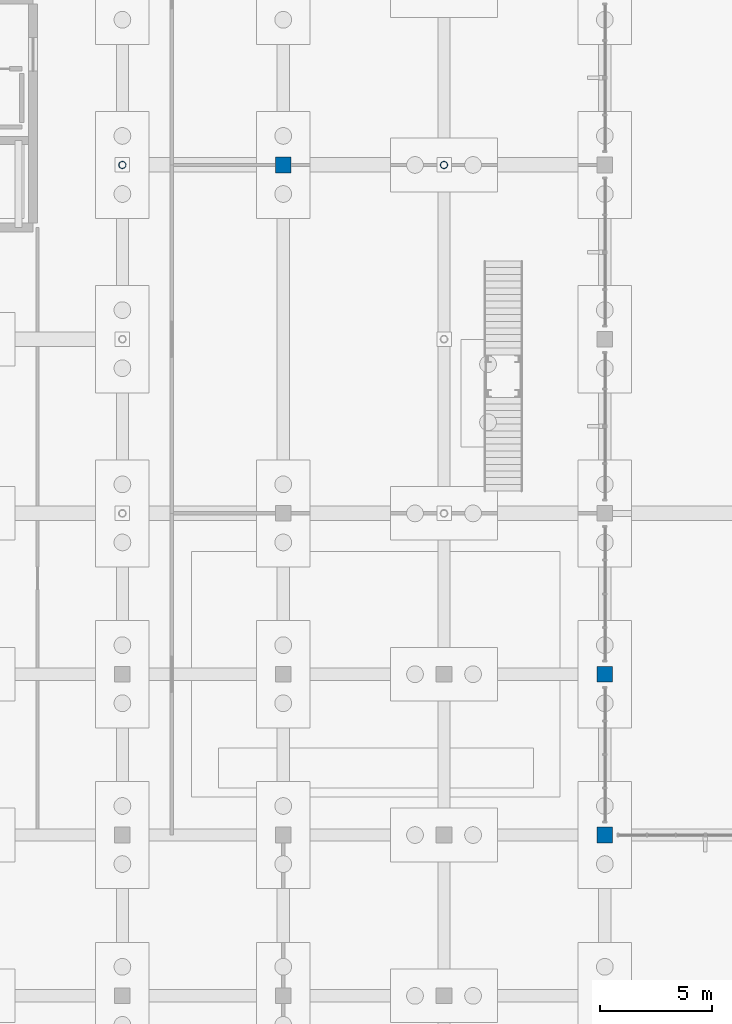
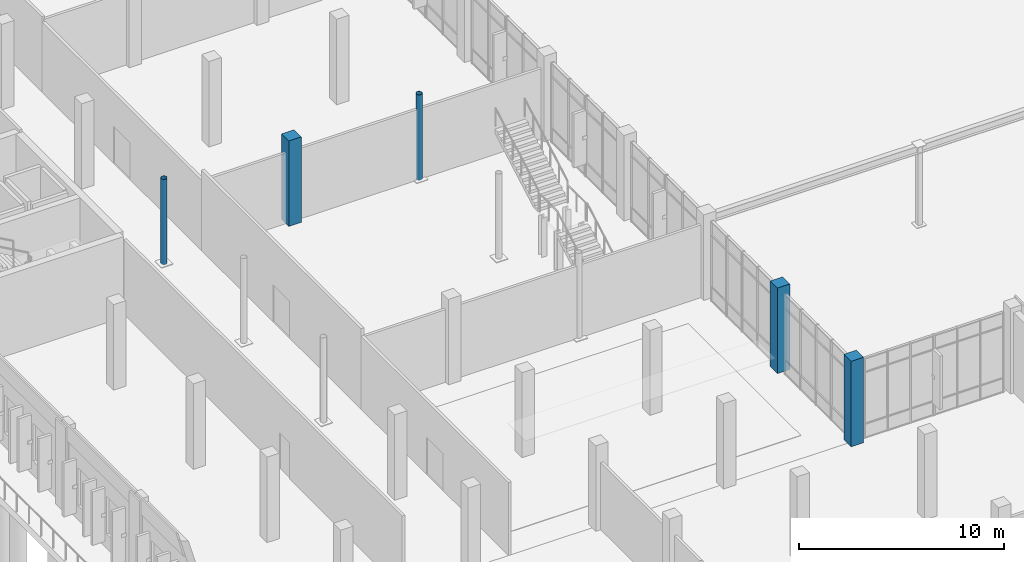
# One storey, part 18 of 94: 5 columns.
"""IFC4 building model written with IfcOpenShell, lengths in metres."""

from ifc_helpers import new_model, si_unit, direction, frame, origin, origin_2d, place, context, subcontext, project, spatial, rectangle, hollow_circle, extrude, material, material_profile, profile_set, type_object, element, save


model = new_model("IFC4")

# Units and contexts
model_context = context("Model", 3, precision=1e-05, world=origin(), true_north=direction((0.0, 1.0)))
body_context = subcontext(model_context, "Body", "Model", "MODEL_VIEW")
ifc_project = project(units=[si_unit("LENGTHUNIT", "METRE"), si_unit("AREAUNIT", "SQUARE_METRE"), si_unit("VOLUMEUNIT", "CUBIC_METRE"), si_unit("PLANEANGLEUNIT", "RADIAN"), si_unit("MASSUNIT", "GRAM", prefix="KILO")], contexts=[model_context])

# Site, building, storey
site_placement = place(None, origin())
site = spatial("IfcSite", under=ifc_project, at=site_placement, CompositionType="ELEMENT")
building_placement = place(site_placement, origin())
building = spatial("IfcBuilding", under=site, at=building_placement, Name="Vervanel Yard Central Library", CompositionType="ELEMENT")
storey_placement = place(building_placement, origin())
storey = spatial("IfcBuildingStorey", under=building, at=storey_placement, Name="L00", CompositionType="ELEMENT", Elevation=0.0)

# Columns
ifc_material_1 = material(Name="Steel ASTM A500 Grade C", Category="steel")
ifc_material_profile_1 = material_profile(ifc_material_1, hollow_circle(Radius=0.161865234375, WallThickness=0.01171875, at=origin_2d()), Name="HSS12.750X0.500", Category="steel")
ifc_profile_set_1 = profile_set([ifc_material_profile_1], Name="Steel ASTM A500 Grade C")
column_type_1 = type_object("IfcColumnType", Name="Atrium Column HSS12.750X0.500", PredefinedType="COLUMN", material=ifc_profile_set_1)
for number, where, z_axis, x_axis, name in (
    (1, (14.39990234375, 58.800048828125, 0.0), (0.0, 0.0, 1.0), (1.0, 0.0, 0.0), "L00 Atrium Column HSS12.750X0.500 (14.4, 58.8)"),
    (2, (28.800048828125, 58.800048828125, 0.0), (0.0, 0.0, 1.0), (1.0, 0.0, 0.0), "L00 Atrium Column HSS12.750X0.500 (28.8, 58.8)"),
):
    element("IfcColumn", number, at=place(storey_placement, frame(where, z_axis=z_axis, x_axis=x_axis)), inside=storey, type_object=column_type_1, Name=name, PredefinedType="COLUMN", context=body_context, shape_type="SweptSolid", body=[
        extrude(hollow_circle(Radius=0.161865234375, WallThickness=0.01171875, at=origin_2d()), origin(), (0.0, 0.0, 1.0), 5.10009765625),
    ])
ifc_material_2 = material(Name="Concrete C40/50", Category="concrete")
ifc_material_profile_2 = material_profile(ifc_material_2, rectangle(XDim=0.699951171875, YDim=0.699951171875, at=origin_2d()), Name="RC 700x700", Category="concrete")
ifc_profile_set_2 = profile_set([ifc_material_profile_2], Name="Concrete C40/50")
column_type_2 = type_object("IfcColumnType", Name="Concrete Column 700x700", PredefinedType="COLUMN", material=ifc_profile_set_2)
for number, where, z_axis, x_axis, name in (
    (3, (21.60009765625, 58.800048828125, 0.0), (0.0, 0.0, 1.0), (1.0, 0.0, 0.0), "L00 Concrete Column 700x700 (21.6, 58.8)"),
    (4, (36.0, 28.800048828125, 0.0), (0.0, 0.0, 1.0), (1.0, 0.0, 0.0), "L00 Concrete Column 700x700 (36.0, 28.8)"),
    (5, (36.0, 36.0, 0.0), (0.0, 0.0, 1.0), (1.0, 0.0, 0.0), "L00 Concrete Column 700x700 (36.0, 36.0)"),
):
    element("IfcColumn", number, at=place(storey_placement, frame(where, z_axis=z_axis, x_axis=x_axis)), inside=storey, type_object=column_type_2, Name=name, PredefinedType="COLUMN", context=body_context, shape_type="SweptSolid", body=[
        extrude(rectangle(XDim=0.699951171875, YDim=0.699951171875, at=origin_2d()), origin(), (0.0, 0.0, 1.0), 5.10009765625),
    ])

save(model, "model.ifc")
